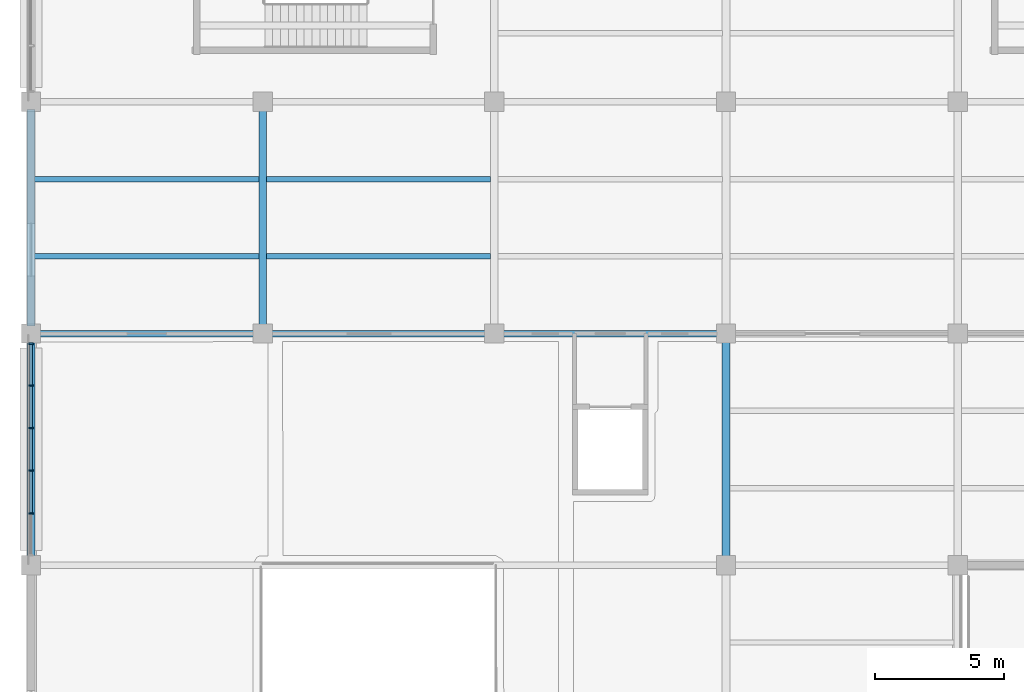
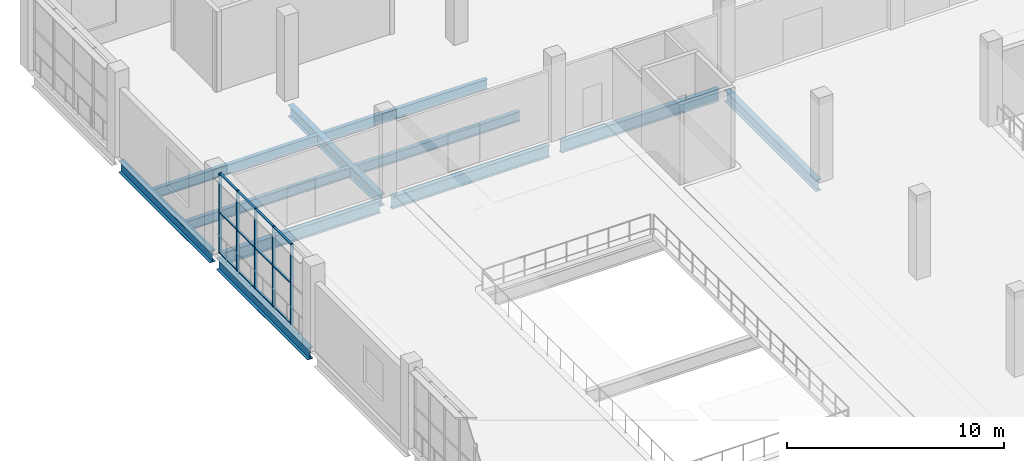
# One storey, part 52 of 179: 17 members, 11 beams, 1 element without a shape of its own.
"""IFC4 building model written with IfcOpenShell, lengths in metres."""

from ifc_helpers import new_model, si_unit, direction, frame, origin, origin_2d, place, context, subcontext, project, spatial, rectangle, i_section, extrude, material, material_profile, profile_set, type_object, element, aggregate, save


model = new_model("IFC4")

# Units and contexts
model_context = context("Model", 3, precision=1e-05, world=origin(), true_north=direction((0.0, 1.0)))
body_context = subcontext(model_context, "Body", "Model", "MODEL_VIEW")
ifc_project = project(units=[si_unit("LENGTHUNIT", "METRE"), si_unit("AREAUNIT", "SQUARE_METRE"), si_unit("VOLUMEUNIT", "CUBIC_METRE"), si_unit("PLANEANGLEUNIT", "RADIAN"), si_unit("MASSUNIT", "GRAM", prefix="KILO")], contexts=[model_context])

# Site, building, storey
site_placement = place(None, origin())
site = spatial("IfcSite", under=ifc_project, at=site_placement, CompositionType="ELEMENT")
building_placement = place(site_placement, origin())
building = spatial("IfcBuilding", under=site, at=building_placement, Name="Zevraka Park Crest Stadium", CompositionType="ELEMENT")
storey_placement = place(building_placement, frame((0.0, 0.0, 10.199951171875)))
storey = spatial("IfcBuildingStorey", under=building, at=storey_placement, Name="L02", CompositionType="ELEMENT", Elevation=10.199951171875)

# Beams
ifc_material_1 = material(Name="Steel S355", Category="steel")
ifc_material_profile_1 = material_profile(ifc_material_1, i_section(OverallWidth=0.253662109375, OverallDepth=0.68359375, WebThickness=0.012451171875, FlangeThickness=0.01904296875, at=origin_2d()), Name="UKB 686x254x140")
ifc_profile_set_1 = profile_set([ifc_material_profile_1], Name="Steel S355")
beam_type_1 = type_object("IfcBeamType", Name="BG05", PredefinedType="BEAM", material=ifc_profile_set_1)
for number, where, z_axis, x_axis, name in (
    (1, (0.300048828125, 167.0, -0.629638671875), (1.0, 0.0, 0.0), (0.0, 1.0, 0.0), "Wing Girder BG05 L02-12/U"),
    (2, (9.300048828125, 167.0, -0.629638671875), (1.0, 0.0, 0.0), (0.0, 1.0, 0.0), "Wing Girder BG05 L02-23/U"),
    (3, (18.300048828125, 167.0, -0.629638671875), (1.0, 0.0, 0.0), (0.0, 1.0, 0.0), "Wing Girder BG05 L02-34/U"),
):
    element("IfcBeam", number, at=place(storey_placement, frame(where, z_axis=z_axis, x_axis=x_axis)), inside=storey, type_object=beam_type_1, Name=name, PredefinedType="BEAM", context=body_context, shape_type="SweptSolid", body=[
        extrude(i_section(OverallWidth=0.253662109375, OverallDepth=0.68359375, WebThickness=0.012451171875, FlangeThickness=0.01904296875, at=origin_2d()), origin(), (0.0, 0.0, 1.0), 8.39990234375),
    ])
ifc_material_2 = material(Name="Steel S355", Category="steel")
ifc_material_profile_2 = material_profile(ifc_material_2, i_section(OverallWidth=0.300048828125, OverallDepth=0.64990234375, WebThickness=0.01611328125, FlangeThickness=0.031005859375, at=origin_2d()), Name="HEB 650")
ifc_profile_set_2 = profile_set([ifc_material_profile_2], Name="Steel S355")
beam_type_2 = type_object("IfcBeamType", Name="BG07", PredefinedType="BEAM", material=ifc_profile_set_2)
for number, where, z_axis, x_axis, name in (
    (4, (0.0, 158.300048828125, -0.613037109375), (0.0, 1.0, 0.0), (-1.0, 0.0, 0.0), "Wing Girder BG07 L02-1/TU"),
    (5, (0.0, 167.300048828125, -0.613037109375), (0.0, 1.0, 0.0), (-1.0, 0.0, 0.0), "Wing Girder BG07 L02-1/UV"),
    (6, (9.0, 167.300048828125, -0.613037109375), (0.0, 1.0, 0.0), (-1.0, 0.0, 0.0), "Wing Girder BG07 L02-2/UV"),
    (7, (27.0, 158.300048828125, -0.613037109375), (0.0, 1.0, 0.0), (-1.0, 0.0, 0.0), "Wing Girder BG07 L02-4/TU"),
):
    element("IfcBeam", number, at=place(storey_placement, frame(where, z_axis=z_axis, x_axis=x_axis)), inside=storey, type_object=beam_type_2, Name=name, PredefinedType="BEAM", context=body_context, shape_type="SweptSolid", body=[
        extrude(i_section(OverallWidth=0.300048828125, OverallDepth=0.64990234375, WebThickness=0.01611328125, FlangeThickness=0.031005859375, at=origin_2d()), origin(), (0.0, 0.0, 1.0), 8.39990234375),
    ])

# Curtain wall, members
ifc_material_3 = material(Name="Anodised architectural aluminium and laminated safety glass", Category="aluminium")
curtain_wall_type = type_object("IfcCurtainWallType", Name="CW28", PredefinedType="NOTDEFINED", material=ifc_material_3)
curtain_wall_placement = place(storey_placement, origin())
curtain_wall = element("IfcCurtainWall", 8, at=curtain_wall_placement, inside=storey, type_object=curtain_wall_type, Name="Wing Curtain Wall CW28 L02-NW-W-6", PredefinedType="NOTDEFINED")
ifc_material_4 = material(Name="Anodised architectural aluminium", Category="aluminium")
ifc_material_profile_3 = material_profile(ifc_material_4, rectangle(XDim=0.159912109375, YDim=0.06005859375, at=origin_2d()), Name="ALU MULLION 160x60")
ifc_profile_set_3 = profile_set([ifc_material_profile_3], Name="Anodised architectural aluminium")
member_type_1 = type_object("IfcMemberType", Name="CM01", PredefinedType="MULLION", material=ifc_profile_set_3)
member_1_placement = place(storey_placement, frame((0.0, 160.01904296875, 0.0), z_axis=(0.0, 0.0, 1.0), x_axis=(-1.0, 0.0, 0.0)))
member_1 = element("IfcMember", 9, at=member_1_placement, type_object=member_type_1, Name="CW28 mullion 2", PredefinedType="MULLION", context=body_context, shape_type="SweptSolid", body=[
    extrude(rectangle(XDim=0.159912109375, YDim=0.06005859375, at=origin_2d()), origin(), (0.0, 0.0, 1.0), 4.5),
])
member_2_placement = place(storey_placement, frame((0.0, 161.673095703125, 0.0), z_axis=(0.0, 0.0, 1.0), x_axis=(-1.0, 0.0, 0.0)))
member_2 = element("IfcMember", 10, at=member_2_placement, type_object=member_type_1, Name="CW28 mullion 3", PredefinedType="MULLION", context=body_context, shape_type="SweptSolid", body=[
    extrude(rectangle(XDim=0.159912109375, YDim=0.06005859375, at=origin_2d()), origin(), (0.0, 0.0, 1.0), 4.5),
])
member_3_placement = place(storey_placement, frame((0.0, 163.326904296875, 0.0), z_axis=(0.0, 0.0, 1.0), x_axis=(-1.0, 0.0, 0.0)))
member_3 = element("IfcMember", 11, at=member_3_placement, type_object=member_type_1, Name="CW28 mullion 4", PredefinedType="MULLION", context=body_context, shape_type="SweptSolid", body=[
    extrude(rectangle(XDim=0.159912109375, YDim=0.06005859375, at=origin_2d()), origin(), (0.0, 0.0, 1.0), 4.5),
])
member_4_placement = place(storey_placement, frame((0.0, 164.98095703125, 0.0), z_axis=(0.0, 0.0, 1.0), x_axis=(-1.0, 0.0, 0.0)))
member_4 = element("IfcMember", 12, at=member_4_placement, type_object=member_type_1, Name="CW28 mullion 5", PredefinedType="MULLION", context=body_context, shape_type="SweptSolid", body=[
    extrude(rectangle(XDim=0.159912109375, YDim=0.06005859375, at=origin_2d()), origin(), (0.0, 0.0, 1.0), 4.5),
])
member_5_placement = place(storey_placement, frame((0.0, 166.60498046875, 0.0), z_axis=(0.0, 0.0, 1.0), x_axis=(-1.0, 0.0, 0.0)))
member_5 = element("IfcMember", 13, at=member_5_placement, type_object=member_type_1, Name="CW28 mullion 6", PredefinedType="MULLION", context=body_context, shape_type="SweptSolid", body=[
    extrude(rectangle(XDim=0.159912109375, YDim=0.06005859375, at=origin_2d()), origin(), (0.0, 0.0, 1.0), 4.5),
])
ifc_material_5 = material(Name="Anodised architectural aluminium", Category="aluminium")
ifc_material_profile_4 = material_profile(ifc_material_5, rectangle(XDim=0.1201171875, YDim=0.06005859375, at=origin_2d()), Name="ALU TRANSOM 120x60")
ifc_profile_set_4 = profile_set([ifc_material_profile_4], Name="Anodised architectural aluminium")
member_type_2 = type_object("IfcMemberType", Name="CT01", PredefinedType="USERDEFINED", material=ifc_profile_set_4)
member_6_placement = place(storey_placement, frame((0.0, 160.049072265625, 0.030029296875), z_axis=(0.0, 1.0, 0.0), x_axis=(-1.0, 0.0, 0.0)))
member_6 = element("IfcMember", 14, at=member_6_placement, type_object=member_type_2, Name="CW28 transom 2.1", ObjectType="TRANSOM", PredefinedType="USERDEFINED", context=body_context, shape_type="SweptSolid", body=[
    extrude(rectangle(XDim=0.1201171875, YDim=0.06005859375, at=origin_2d()), origin(), (0.0, 0.0, 1.0), 1.593994140625),
])
member_7_placement = place(storey_placement, frame((0.0, 160.049072265625, 2.300048828125), z_axis=(0.0, 1.0, 0.0), x_axis=(-1.0, 0.0, 0.0)))
member_7 = element("IfcMember", 15, at=member_7_placement, type_object=member_type_2, Name="CW28 transom 2.2", ObjectType="TRANSOM", PredefinedType="USERDEFINED", context=body_context, shape_type="SweptSolid", body=[
    extrude(rectangle(XDim=0.1201171875, YDim=0.06005859375, at=origin_2d()), origin(), (0.0, 0.0, 1.0), 1.593994140625),
])
member_8_placement = place(storey_placement, frame((0.0, 160.049072265625, 4.469970703125), z_axis=(0.0, 1.0, 0.0), x_axis=(-1.0, 0.0, 0.0)))
member_8 = element("IfcMember", 16, at=member_8_placement, type_object=member_type_2, Name="CW28 transom 2.3", ObjectType="TRANSOM", PredefinedType="USERDEFINED", context=body_context, shape_type="SweptSolid", body=[
    extrude(rectangle(XDim=0.1201171875, YDim=0.06005859375, at=origin_2d()), origin(), (0.0, 0.0, 1.0), 1.593994140625),
])
member_9_placement = place(storey_placement, frame((0.0, 161.702880859375, 0.030029296875), z_axis=(0.0, 1.0, 0.0), x_axis=(-1.0, 0.0, 0.0)))
member_9 = element("IfcMember", 17, at=member_9_placement, type_object=member_type_2, Name="CW28 transom 3.1", ObjectType="TRANSOM", PredefinedType="USERDEFINED", context=body_context, shape_type="SweptSolid", body=[
    extrude(rectangle(XDim=0.1201171875, YDim=0.06005859375, at=origin_2d()), origin(), (0.0, 0.0, 1.0), 1.59423828125),
])
member_10_placement = place(storey_placement, frame((0.0, 161.702880859375, 2.300048828125), z_axis=(0.0, 1.0, 0.0), x_axis=(-1.0, 0.0, 0.0)))
member_10 = element("IfcMember", 18, at=member_10_placement, type_object=member_type_2, Name="CW28 transom 3.2", ObjectType="TRANSOM", PredefinedType="USERDEFINED", context=body_context, shape_type="SweptSolid", body=[
    extrude(rectangle(XDim=0.1201171875, YDim=0.06005859375, at=origin_2d()), origin(), (0.0, 0.0, 1.0), 1.59423828125),
])
member_11_placement = place(storey_placement, frame((0.0, 161.702880859375, 4.469970703125), z_axis=(0.0, 1.0, 0.0), x_axis=(-1.0, 0.0, 0.0)))
member_11 = element("IfcMember", 19, at=member_11_placement, type_object=member_type_2, Name="CW28 transom 3.3", ObjectType="TRANSOM", PredefinedType="USERDEFINED", context=body_context, shape_type="SweptSolid", body=[
    extrude(rectangle(XDim=0.1201171875, YDim=0.06005859375, at=origin_2d()), origin(), (0.0, 0.0, 1.0), 1.59423828125),
])
member_12_placement = place(storey_placement, frame((0.0, 163.35693359375, 0.030029296875), z_axis=(0.0, 1.0, 0.0), x_axis=(-1.0, 0.0, 0.0)))
member_12 = element("IfcMember", 20, at=member_12_placement, type_object=member_type_2, Name="CW28 transom 4.1", ObjectType="TRANSOM", PredefinedType="USERDEFINED", context=body_context, shape_type="SweptSolid", body=[
    extrude(rectangle(XDim=0.1201171875, YDim=0.06005859375, at=origin_2d()), origin(), (0.0, 0.0, 1.0), 1.593994140625),
])
member_13_placement = place(storey_placement, frame((0.0, 163.35693359375, 2.300048828125), z_axis=(0.0, 1.0, 0.0), x_axis=(-1.0, 0.0, 0.0)))
member_13 = element("IfcMember", 21, at=member_13_placement, type_object=member_type_2, Name="CW28 transom 4.2", ObjectType="TRANSOM", PredefinedType="USERDEFINED", context=body_context, shape_type="SweptSolid", body=[
    extrude(rectangle(XDim=0.1201171875, YDim=0.06005859375, at=origin_2d()), origin(), (0.0, 0.0, 1.0), 1.593994140625),
])
member_14_placement = place(storey_placement, frame((0.0, 163.35693359375, 4.469970703125), z_axis=(0.0, 1.0, 0.0), x_axis=(-1.0, 0.0, 0.0)))
member_14 = element("IfcMember", 22, at=member_14_placement, type_object=member_type_2, Name="CW28 transom 4.3", ObjectType="TRANSOM", PredefinedType="USERDEFINED", context=body_context, shape_type="SweptSolid", body=[
    extrude(rectangle(XDim=0.1201171875, YDim=0.06005859375, at=origin_2d()), origin(), (0.0, 0.0, 1.0), 1.593994140625),
])
member_15_placement = place(storey_placement, frame((0.0, 165.010986328125, 0.030029296875), z_axis=(0.0, 1.0, 0.0), x_axis=(-1.0, 0.0, 0.0)))
member_15 = element("IfcMember", 23, at=member_15_placement, type_object=member_type_2, Name="CW28 transom 5.1", ObjectType="TRANSOM", PredefinedType="USERDEFINED", context=body_context, shape_type="SweptSolid", body=[
    extrude(rectangle(XDim=0.1201171875, YDim=0.06005859375, at=origin_2d()), origin(), (0.0, 0.0, 1.0), 1.56396484375),
])
member_16_placement = place(storey_placement, frame((0.0, 165.010986328125, 2.300048828125), z_axis=(0.0, 1.0, 0.0), x_axis=(-1.0, 0.0, 0.0)))
member_16 = element("IfcMember", 24, at=member_16_placement, type_object=member_type_2, Name="CW28 transom 5.2", ObjectType="TRANSOM", PredefinedType="USERDEFINED", context=body_context, shape_type="SweptSolid", body=[
    extrude(rectangle(XDim=0.1201171875, YDim=0.06005859375, at=origin_2d()), origin(), (0.0, 0.0, 1.0), 1.56396484375),
])
member_17_placement = place(storey_placement, frame((0.0, 165.010986328125, 4.469970703125), z_axis=(0.0, 1.0, 0.0), x_axis=(-1.0, 0.0, 0.0)))
member_17 = element("IfcMember", 25, at=member_17_placement, type_object=member_type_2, Name="CW28 transom 5.3", ObjectType="TRANSOM", PredefinedType="USERDEFINED", context=body_context, shape_type="SweptSolid", body=[
    extrude(rectangle(XDim=0.1201171875, YDim=0.06005859375, at=origin_2d()), origin(), (0.0, 0.0, 1.0), 1.56396484375),
])
aggregate(curtain_wall, [member_1, member_2, member_3, member_4, member_5, member_6, member_7, member_8, member_9, member_10, member_11, member_12, member_13, member_14, member_15, member_16, member_17])

# Beams
ifc_material_6 = material(Name="Steel S355", Category="steel")
ifc_material_profile_5 = material_profile(ifc_material_6, i_section(OverallWidth=0.2099609375, OverallDepth=0.550048828125, WebThickness=0.010986328125, FlangeThickness=0.01708984375, at=origin_2d()), Name="IPE 550")
ifc_profile_set_5 = profile_set([ifc_material_profile_5], Name="Steel S355")
beam_type_3 = type_object("IfcBeamType", Name="SJ04", PredefinedType="JOIST", material=ifc_profile_set_5)
for number, where, z_axis, x_axis, name in (
    (26, (0.14501953125, 170.0, -0.56494140625), (1.0, 0.0, 0.0), (0.0, 1.0, 0.0), "Wing Joist SJ04 L02-1/U-1"),
    (27, (0.14501953125, 173.0, -0.56494140625), (1.0, 0.0, 0.0), (0.0, 1.0, 0.0), "Wing Joist SJ04 L02-1/U-2"),
    (28, (9.14501953125, 170.0, -0.56494140625), (1.0, 0.0, 0.0), (0.0, 1.0, 0.0), "Wing Joist SJ04 L02-2/U-1"),
    (29, (9.14501953125, 173.0, -0.56494140625), (1.0, 0.0, 0.0), (0.0, 1.0, 0.0), "Wing Joist SJ04 L02-2/U-2"),
):
    element("IfcBeam", number, at=place(storey_placement, frame(where, z_axis=z_axis, x_axis=x_axis)), inside=storey, type_object=beam_type_3, Name=name, PredefinedType="JOIST", context=body_context, shape_type="SweptSolid", body=[
        extrude(i_section(OverallWidth=0.2099609375, OverallDepth=0.550048828125, WebThickness=0.010986328125, FlangeThickness=0.01708984375, at=origin_2d()), origin(), (0.0, 0.0, 1.0), 8.7099609375),
    ])

save(model, "model.ifc")
